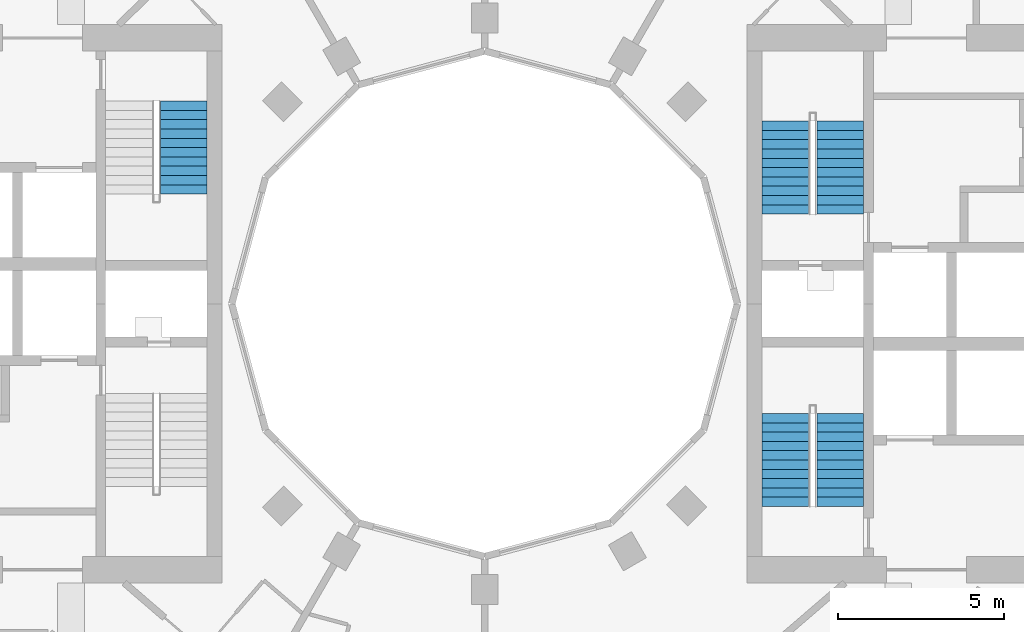
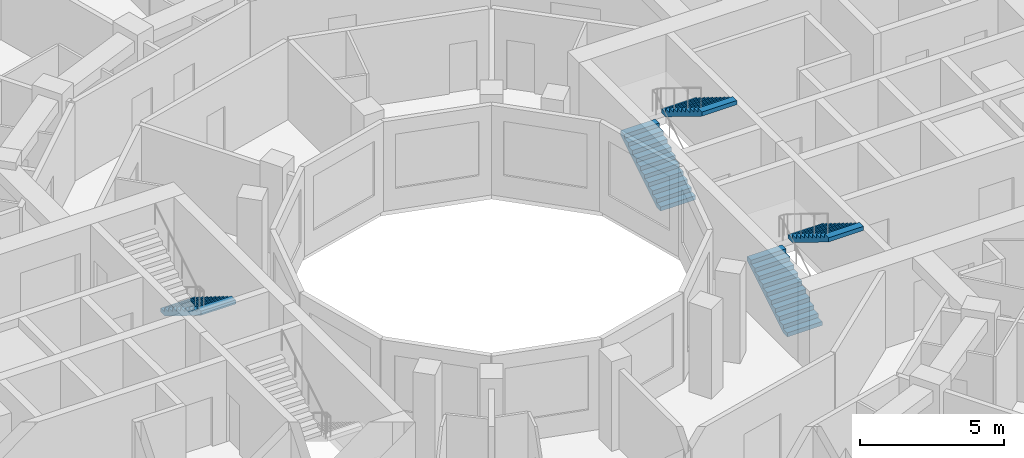
# One storey, part 13 of 15: 5 stair flights, 3 elements without a shape of their own.
"""IFC4 building model written with IfcOpenShell, lengths in metres."""

from ifc_helpers import new_model, si_unit, direction, frame, origin, place, context, subcontext, project, spatial, polyline, outline, extrude, material, layer, layer_set, type_object, element, aggregate, save


model = new_model("IFC4")

# Units and contexts
model_context = context("Model", 3, precision=1e-05, world=origin(), true_north=direction((0.0, 1.0)))
body_context = subcontext(model_context, "Body", "Model", "MODEL_VIEW")
ifc_project = project(units=[si_unit("LENGTHUNIT", "METRE"), si_unit("AREAUNIT", "SQUARE_METRE"), si_unit("VOLUMEUNIT", "CUBIC_METRE"), si_unit("PLANEANGLEUNIT", "RADIAN"), si_unit("MASSUNIT", "GRAM", prefix="KILO")], contexts=[model_context])

# Site, building, storey
site_placement = place(None, origin())
site = spatial("IfcSite", under=ifc_project, at=site_placement, CompositionType="ELEMENT")
building_placement = place(site_placement, origin())
building = spatial("IfcBuilding", under=site, at=building_placement, Name="Torre Brocal", CompositionType="ELEMENT")
storey_placement = place(building_placement, frame((0.0, 0.0, 66.800048828125)))
storey = spatial("IfcBuildingStorey", under=building, at=storey_placement, Name="L15", CompositionType="ELEMENT", Elevation=66.800048828125)

# Stair, stair flights
ifc_material_1 = material(Name="Concrete C50", Category="concrete")
stair_type = type_object("IfcStairType", Name="EXIT STAIR", PredefinedType="HALF_TURN_STAIR", material=ifc_material_1)
stair_1_placement = place(storey_placement, origin())
stair_1 = element("IfcStair", 1, at=stair_1_placement, inside=storey, type_object=stair_type, Name="EXIT STAIR ST1", PredefinedType="HALF_TURN_STAIR")
ifc_material_2 = material(Name="Concrete C50", Category="concrete")
ifc_layer = layer(ifc_material_2, 0.14990234375)
ifc_layer_set = layer_set([ifc_layer], Name="Concrete C50")
stair_flight_type = type_object("IfcStairFlightType", Name="STAIR FLIGHT", PredefinedType="STRAIGHT", material=ifc_layer_set)
stair_flight_1_placement = place(storey_placement, frame((89.050048828125, 77.699951171875, 0.0), z_axis=(0.0, 0.0, 1.0), x_axis=(0.0, 1.0, 0.0)))
stair_flight_1 = element("IfcStairFlight", 2, at=stair_flight_1_placement, type_object=stair_flight_type, Name="ST1 flight 1", NumberOfRisers=11, NumberOfTreads=10, PredefinedType="STRAIGHT", RiserHeight=0.172727273, TreadLength=0.28, context=body_context, shape_type="SweptSolid", body=[
    extrude(outline(polyline([(0.0, 0.0), (0.0, 0.172607421875), (0.280029296875, 0.172607421875), (0.280029296875, 0.345458984375), (0.56005859375, 0.345458984375), (0.56005859375, 0.51806640625), (0.840087890625, 0.51806640625), (0.840087890625, 0.69091796875), (1.1201171875, 0.69091796875), (1.1201171875, 0.863525390625), (1.39990234375, 0.863525390625), (1.39990234375, 1.036376953125), (1.679931640625, 1.036376953125), (1.679931640625, 1.208984375), (1.9599609375, 1.208984375), (1.9599609375, 1.3818359375), (2.239990234375, 1.3818359375), (2.239990234375, 1.554443359375), (2.52001953125, 1.554443359375), (2.52001953125, 1.727294921875), (2.800048828125, 1.727294921875), (2.800048828125, 1.89990234375), (2.800048828125, 1.551025390625), (0.285400390625, 0.0), (0.0, 0.0)])), frame((0.0, 0.699951171875, 0.0), z_axis=(0.0, -1.0, 0.0), x_axis=(1.0, 0.0, 0.0)), (0.0, 0.0, 1.0), 1.39990234375),
])
stair_flight_2_placement = place(storey_placement, frame((90.699951171875, 80.5, 1.89990234375), z_axis=(0.0, 0.0, 1.0), x_axis=(0.0, -1.0, 0.0)))
stair_flight_2 = element("IfcStairFlight", 3, at=stair_flight_2_placement, type_object=stair_flight_type, Name="ST1 flight 2", NumberOfRisers=11, NumberOfTreads=10, PredefinedType="STRAIGHT", RiserHeight=0.172727273, TreadLength=0.28, context=body_context, shape_type="SweptSolid", body=[
    extrude(outline(polyline([(0.0, 0.0), (0.0, 0.172607421875), (0.280029296875, 0.172607421875), (0.280029296875, 0.345458984375), (0.56005859375, 0.345458984375), (0.56005859375, 0.51806640625), (0.840087890625, 0.51806640625), (0.840087890625, 0.69091796875), (1.1201171875, 0.69091796875), (1.1201171875, 0.863525390625), (1.39990234375, 0.863525390625), (1.39990234375, 1.036376953125), (1.679931640625, 1.036376953125), (1.679931640625, 1.208984375), (1.9599609375, 1.208984375), (1.9599609375, 1.3818359375), (2.239990234375, 1.3818359375), (2.239990234375, 1.554443359375), (2.52001953125, 1.554443359375), (2.52001953125, 1.727294921875), (2.800048828125, 1.727294921875), (2.800048828125, 1.89990234375), (2.800048828125, 1.551025390625), (0.285400390625, 0.0), (0.0, 0.0)])), frame((0.0, 0.699951171875, 0.0), z_axis=(0.0, -1.0, 0.0), x_axis=(1.0, 0.0, 0.0)), (0.0, 0.0, 1.0), 1.39990234375),
])
aggregate(stair_1, [stair_flight_1, stair_flight_2])

stair_2_placement = place(storey_placement, origin())
stair_2 = element("IfcStair", 4, at=stair_2_placement, inside=storey, type_object=stair_type, Name="EXIT STAIR ST2", PredefinedType="HALF_TURN_STAIR")
stair_flight_3_placement = place(storey_placement, frame((89.050048828125, 68.89990234375, 0.0), z_axis=(0.0, 0.0, 1.0), x_axis=(0.0, 1.0, 0.0)))
stair_flight_3 = element("IfcStairFlight", 5, at=stair_flight_3_placement, type_object=stair_flight_type, Name="ST2 flight 1", NumberOfRisers=11, NumberOfTreads=10, PredefinedType="STRAIGHT", RiserHeight=0.172727273, TreadLength=0.28, context=body_context, shape_type="SweptSolid", body=[
    extrude(outline(polyline([(0.0, 0.0), (0.0, 0.172607421875), (0.280029296875, 0.172607421875), (0.280029296875, 0.345458984375), (0.56005859375, 0.345458984375), (0.56005859375, 0.51806640625), (0.840087890625, 0.51806640625), (0.840087890625, 0.69091796875), (1.1201171875, 0.69091796875), (1.1201171875, 0.863525390625), (1.39990234375, 0.863525390625), (1.39990234375, 1.036376953125), (1.679931640625, 1.036376953125), (1.679931640625, 1.208984375), (1.9599609375, 1.208984375), (1.9599609375, 1.3818359375), (2.239990234375, 1.3818359375), (2.239990234375, 1.554443359375), (2.52001953125, 1.554443359375), (2.52001953125, 1.727294921875), (2.800048828125, 1.727294921875), (2.800048828125, 1.89990234375), (2.800048828125, 1.551025390625), (0.285400390625, 0.0), (0.0, 0.0)])), frame((0.0, 0.699951171875, 0.0), z_axis=(0.0, -1.0, 0.0), x_axis=(1.0, 0.0, 0.0)), (0.0, 0.0, 1.0), 1.39990234375),
])
stair_flight_4_placement = place(storey_placement, frame((90.699951171875, 71.699951171875, 1.89990234375), z_axis=(0.0, 0.0, 1.0), x_axis=(0.0, -1.0, 0.0)))
stair_flight_4 = element("IfcStairFlight", 6, at=stair_flight_4_placement, type_object=stair_flight_type, Name="ST2 flight 2", NumberOfRisers=11, NumberOfTreads=10, PredefinedType="STRAIGHT", RiserHeight=0.172727273, TreadLength=0.28, context=body_context, shape_type="SweptSolid", body=[
    extrude(outline(polyline([(0.0, 0.0), (0.0, 0.172607421875), (0.280029296875, 0.172607421875), (0.280029296875, 0.345458984375), (0.56005859375, 0.345458984375), (0.56005859375, 0.51806640625), (0.840087890625, 0.51806640625), (0.840087890625, 0.69091796875), (1.1201171875, 0.69091796875), (1.1201171875, 0.863525390625), (1.39990234375, 0.863525390625), (1.39990234375, 1.036376953125), (1.679931640625, 1.036376953125), (1.679931640625, 1.208984375), (1.9599609375, 1.208984375), (1.9599609375, 1.3818359375), (2.239990234375, 1.3818359375), (2.239990234375, 1.554443359375), (2.52001953125, 1.554443359375), (2.52001953125, 1.727294921875), (2.800048828125, 1.727294921875), (2.800048828125, 1.89990234375), (2.800048828125, 1.551025390625), (0.285400390625, 0.0), (0.0, 0.0)])), frame((0.0, 0.699951171875, 0.0), z_axis=(0.0, -1.0, 0.0), x_axis=(1.0, 0.0, 0.0)), (0.0, 0.0, 1.0), 1.39990234375),
])
aggregate(stair_2, [stair_flight_3, stair_flight_4])

# Stair, stair flight
stair_3_placement = place(storey_placement, origin())
stair_3 = element("IfcStair", 7, at=stair_3_placement, inside=storey, type_object=stair_type, Name="EXIT STAIR ST4", PredefinedType="HALF_TURN_STAIR")
stair_flight_5_placement = place(storey_placement, frame((70.949951171875, 81.10009765625, 0.0), z_axis=(0.0, 0.0, 1.0), x_axis=(0.0, -1.0, 0.0)))
stair_flight_5 = element("IfcStairFlight", 8, at=stair_flight_5_placement, type_object=stair_flight_type, Name="ST4 flight 1", NumberOfRisers=11, NumberOfTreads=10, PredefinedType="STRAIGHT", RiserHeight=0.172727273, TreadLength=0.28, context=body_context, shape_type="SweptSolid", body=[
    extrude(outline(polyline([(0.0, 0.0), (0.0, 0.172607421875), (0.280029296875, 0.172607421875), (0.280029296875, 0.345458984375), (0.56005859375, 0.345458984375), (0.56005859375, 0.51806640625), (0.840087890625, 0.51806640625), (0.840087890625, 0.69091796875), (1.1201171875, 0.69091796875), (1.1201171875, 0.863525390625), (1.39990234375, 0.863525390625), (1.39990234375, 1.036376953125), (1.679931640625, 1.036376953125), (1.679931640625, 1.208984375), (1.9599609375, 1.208984375), (1.9599609375, 1.3818359375), (2.239990234375, 1.3818359375), (2.239990234375, 1.554443359375), (2.52001953125, 1.554443359375), (2.52001953125, 1.727294921875), (2.800048828125, 1.727294921875), (2.800048828125, 1.89990234375), (2.800048828125, 1.551025390625), (0.285400390625, 0.0), (0.0, 0.0)])), frame((0.0, 0.699951171875, 0.0), z_axis=(0.0, -1.0, 0.0), x_axis=(1.0, 0.0, 0.0)), (0.0, 0.0, 1.0), 1.39990234375),
])
aggregate(stair_3, [stair_flight_5])

save(model, "model.ifc")
